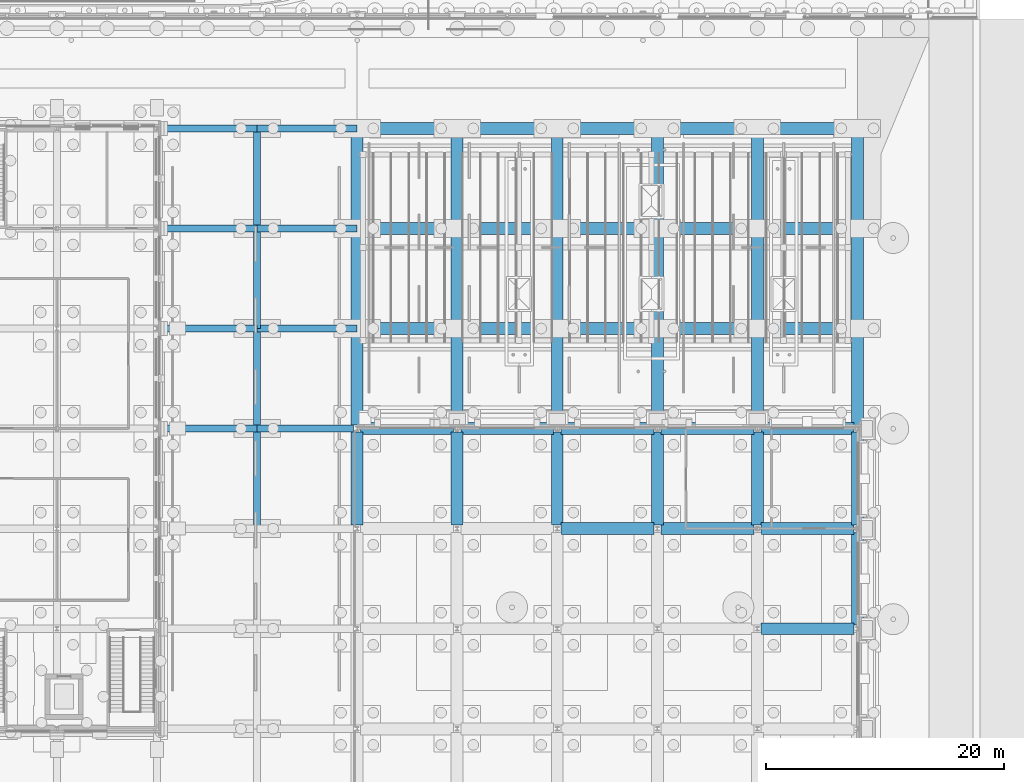
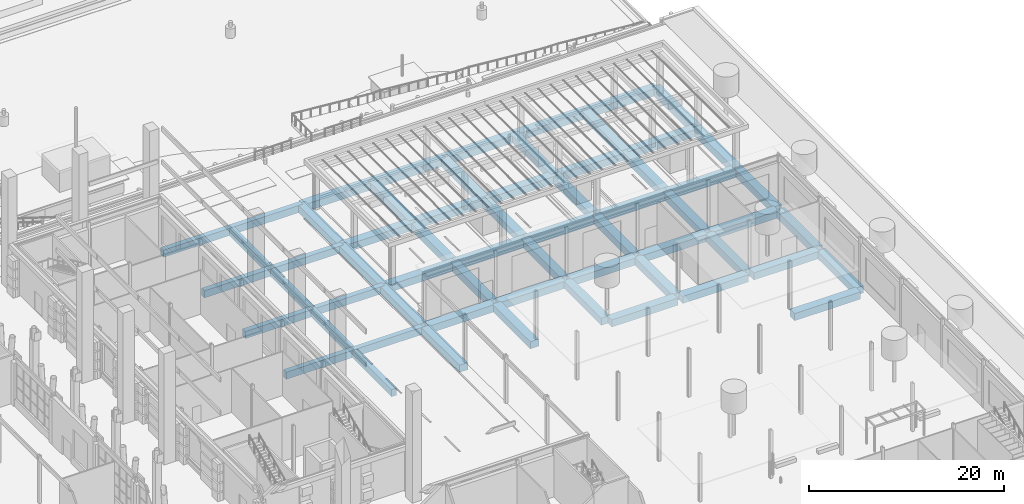
# One storey, part 61 of 222: 61 beams.
"""IFC4 building model written with IfcOpenShell, lengths in metres."""

import ifcopenshell
import ifcopenshell.guid

model = None  # the IFC model being written
_history = None  # IfcOwnerHistory: only IFC2X3 demands one
_inside = {}  # id of a spatial element -> (the spatial element, [elements in it])
_under = {}  # id of a project, library or spatial element -> (it, [spatial elements below it])
_declared = {}  # id of a project -> (the project, [libraries it declares])
_typed = {}  # id of a type object -> (the type object, [elements of that type])
_made_of = {}  # id of a material, layer set ... -> (it, [elements and type objects made of it])


def new_model(schema):
    """Start an empty IFC model of exactly this schema.

    Asked for "IFC4X3", IfcOpenShell would pick the latest addendum, in which some entities
    have other attributes; the version numbers below select the first issue.
    IFC2X3 requires an IfcOwnerHistory on every rooted entity: one is made here for all.
    """
    global model, _history
    if schema == "IFC4X3":
        model = ifcopenshell.file(schema_version=(4, 3, 0, 0))
    else:
        model = ifcopenshell.file(schema=schema)
    _inside.clear()
    _under.clear()
    _declared.clear()
    _typed.clear()
    _made_of.clear()
    _history = None
    if model.schema == "IFC2X3":
        org = make("IfcOrganization", Name="unknown")
        user = make(
            "IfcPersonAndOrganization",
            ThePerson=make("IfcPerson", FamilyName="unknown"),
            TheOrganization=org,
        )
        app = make(
            "IfcApplication",
            ApplicationDeveloper=org,
            Version="unknown",
            ApplicationFullName="unknown",
            ApplicationIdentifier="unknown",
        )
        _history = make(
            "IfcOwnerHistory",
            OwningUser=user,
            OwningApplication=app,
            ChangeAction="ADDED",
            CreationDate=0,
        )
    return model


def make(cls, **values):
    """One entity of the class cls with the attributes given. An attribute that is None is left unset."""
    return model.create_entity(
        cls, **{name: value for name, value in values.items() if value is not None}
    )


def rooted(cls, **values):
    """An entity with a GlobalId (a new one), such as an element, a storey or a relation."""
    return make(cls, GlobalId=ifcopenshell.guid.new(), OwnerHistory=_history, **values)


def si_unit(unit_type, name, prefix=None):
    """IfcSIUnit, for example si_unit("LENGTHUNIT", "METRE", prefix="MILLI")."""
    return make("IfcSIUnit", UnitType=unit_type, Prefix=prefix, Name=name)


def assignment(units):
    """IfcUnitAssignment: the units of a project."""
    return None if units is None else make("IfcUnitAssignment", Units=units)


def point(xyz):
    """IfcCartesianPoint."""
    return None if xyz is None else make("IfcCartesianPoint", Coordinates=xyz)


def direction(xyz):
    """IfcDirection."""
    return None if xyz is None else make("IfcDirection", DirectionRatios=xyz)


def frame(location, z_axis=None, x_axis=None):
    """IfcAxis2Placement3D, a coordinate frame: its origin and axes. An axis left out is left unset."""
    return make(
        "IfcAxis2Placement3D",
        Location=point(location),
        Axis=direction(z_axis),
        RefDirection=direction(x_axis),
    )


def frame_2d(location, x_axis=None):
    """IfcAxis2Placement2D, a coordinate frame in the plane: its origin and x axis."""
    return make(
        "IfcAxis2Placement2D", Location=point(location), RefDirection=direction(x_axis)
    )


def origin():
    """The frame at (0, 0, 0) with its axes left unset."""
    return frame((0.0, 0.0, 0.0))


def origin_2d():
    """The frame at (0, 0) in the plane with its x axis left unset."""
    return frame_2d((0.0, 0.0))


def place(relative_to, where):
    """IfcLocalPlacement: puts the frame where relative to a parent placement (None: the world)."""
    return make(
        "IfcLocalPlacement", PlacementRelTo=relative_to, RelativePlacement=where
    )


def context(
    kind, dimensions, precision=None, world=None, true_north=None, identifier=None
):
    """IfcGeometricRepresentationContext, for example the 3D "Model" context."""
    return make(
        "IfcGeometricRepresentationContext",
        ContextIdentifier=identifier,
        ContextType=kind,
        CoordinateSpaceDimension=dimensions,
        Precision=precision,
        WorldCoordinateSystem=world,
        TrueNorth=true_north,
    )


def subcontext(parent, identifier, kind, view, scale=None):
    """IfcGeometricRepresentationSubContext, for example "Body" below "Model"."""
    return make(
        "IfcGeometricRepresentationSubContext",
        ContextIdentifier=identifier,
        ContextType=kind,
        ParentContext=parent,
        TargetScale=scale,
        TargetView=view,
    )


def project(units=None, contexts=None):
    """IfcProject with its units and contexts."""
    return rooted(
        "IfcProject",
        Name="project",
        RepresentationContexts=contexts,
        UnitsInContext=assignment(units),
    )


def spatial(cls, under=None, at=None, **own):
    """A site, building, storey or space (cls), placed at a placement, below another one or the project."""
    s = rooted(cls, ObjectPlacement=at, **own)
    if under is not None:
        _under.setdefault(under.id(), (under, []))[1].append(s)
    return s


def profile(cls, at=None, kind="AREA", **sizes):
    """A parametric profile (cls). Its sizes go by their IFC names, for example OverallWidth=200.0."""
    return make(cls, ProfileType=kind, Position=at, **sizes)


def rectangle(**sizes):
    """IfcRectangleProfileDef."""
    return profile("IfcRectangleProfileDef", **sizes)


def extrude(swept, where, along, depth):
    """IfcExtrudedAreaSolid: the profile swept, set in the frame where, extruded along a direction by depth."""
    return make(
        "IfcExtrudedAreaSolid",
        SweptArea=swept,
        Position=where,
        ExtrudedDirection=direction(along),
        Depth=depth,
    )


def shape(context_of_items, identifier, shape_type, items):
    """IfcShapeRepresentation: the items that make up one representation, for example the "Body"."""
    return make(
        "IfcShapeRepresentation",
        ContextOfItems=context_of_items,
        RepresentationIdentifier=identifier,
        RepresentationType=shape_type,
        Items=items,
    )


def material(Name=None, Category=None):
    """IfcMaterial."""
    return make("IfcMaterial", Name=Name, Category=Category)


def material_profile(
    of_material, cross_section, Name=None, Category=None, Priority=None
):
    """IfcMaterialProfile: a cross section and its material."""
    return make(
        "IfcMaterialProfile",
        Name=Name,
        Material=of_material,
        Profile=cross_section,
        Priority=Priority,
        Category=Category,
    )


def profile_set(profiles, Name=None, composite=None):
    """IfcMaterialProfileSet."""
    return make(
        "IfcMaterialProfileSet",
        Name=Name,
        MaterialProfiles=profiles,
        CompositeProfile=composite,
    )


def made_of(thing, what):
    """Note that an element or type object is made of a material, layer set ...; save() writes the relation."""
    if what is not None:
        _made_of.setdefault(what.id(), (what, []))[1].append(thing)
    return thing


def type_object(cls, material=None, **own):
    """A type object (cls), such as IfcWallType, which elements share."""
    return made_of(rooted(cls, **own), material)


def element(
    cls,
    number,
    at=None,
    inside=None,
    cuts=None,
    type_object=None,
    material=None,
    context=None,
    identifier="Body",
    shape_type=None,
    held_by="IfcProductDefinitionShape",
    body=None,
    shapes=None,
    **own,
):
    """One element of the class cls, such as IfcWall. Its Tag is "e" and its number.

    at: its placement. inside: the storey or other place that contains it. cuts: it is an
    opening in that element (IfcRelVoidsElement). A single representation is given by context,
    identifier, shape_type and body (its items); several are given by shapes. held_by: the class
    of the entity that holds the representations. save() writes the other relations.
    """
    e = rooted(cls, Tag="e%d" % number, ObjectPlacement=at, **own)
    if body is not None:
        shapes = [shape(context, identifier, shape_type, body)]
    if shapes is not None:
        e.Representation = make(held_by, Representations=shapes)
    if inside is not None:
        _inside.setdefault(inside.id(), (inside, []))[1].append(e)
    if cuts is not None:
        rooted(
            "IfcRelVoidsElement", RelatingBuildingElement=cuts, RelatedOpeningElement=e
        )
    if type_object is not None:
        _typed.setdefault(type_object.id(), (type_object, []))[1].append(e)
    return made_of(e, material)


def aggregate(whole, parts):
    """IfcRelAggregates: a whole, such as a stair, and the parts it consists of."""
    return rooted("IfcRelAggregates", RelatingObject=whole, RelatedObjects=parts)


def save(model, path):
    """Write the relations noted so far, then the file.

    IfcRelAggregates (storeys below a building ...), IfcRelContainedInSpatialStructure (elements
    in a storey), IfcRelDefinesByType, IfcRelAssociatesMaterial and IfcRelDeclares: one each for
    every whole, place, type object, material and project.
    """
    for whole, parts in _under.values():
        aggregate(whole, parts)
    for where, things in _inside.values():
        rooted(
            "IfcRelContainedInSpatialStructure",
            RelatedElements=things,
            RelatingStructure=where,
        )
    for kind, things in _typed.values():
        rooted("IfcRelDefinesByType", RelatedObjects=things, RelatingType=kind)
    for what, things in _made_of.values():
        rooted("IfcRelAssociatesMaterial", RelatedObjects=things, RelatingMaterial=what)
    for by, libraries in _declared.values():
        rooted("IfcRelDeclares", RelatingContext=by, RelatedDefinitions=libraries)
    model.write(path)


model = new_model("IFC4")

# Units and contexts
model_context = context("Model", 3, precision=1e-05, world=origin(), true_north=direction((0.0, 1.0)))
body_context = subcontext(model_context, "Body", "Model", "MODEL_VIEW")
ifc_project = project(units=[si_unit("LENGTHUNIT", "METRE"), si_unit("AREAUNIT", "SQUARE_METRE"), si_unit("VOLUMEUNIT", "CUBIC_METRE"), si_unit("PLANEANGLEUNIT", "RADIAN"), si_unit("MASSUNIT", "GRAM", prefix="KILO")], contexts=[model_context])

# Site, building, storey
site_placement = place(None, origin())
site = spatial("IfcSite", under=ifc_project, at=site_placement, CompositionType="ELEMENT")
building_placement = place(site_placement, origin())
building = spatial("IfcBuilding", under=site, at=building_placement, Name="Sava Quay Ferry Terminal", CompositionType="ELEMENT")
storey_placement = place(building_placement, origin())
storey = spatial("IfcBuildingStorey", under=building, at=storey_placement, Name="L00", CompositionType="ELEMENT", Elevation=0.0)

# Beams
ifc_material_1 = material(Name="Concrete C40/50", Category="concrete")
ifc_material_profile_1 = material_profile(ifc_material_1, rectangle(XDim=1.0, YDim=0.89990234375, at=origin_2d()), Name="RC 1000x900")
ifc_profile_set_1 = profile_set([ifc_material_profile_1], Name="Concrete C40/50")
beam_type_1 = type_object("IfcBeamType", Name="RC deck beam 1000x900", PredefinedType="BEAM", material=ifc_profile_set_1)
beam_1_placement = place(storey_placement, frame((159.89990234375, 67.199951171875, -0.89990234375), z_axis=(1.0, 0.0, 0.0), x_axis=(0.0, 1.0, 0.0)))
element("IfcBeam", 1, at=beam_1_placement, inside=storey, type_object=beam_type_1, Name="Deck beam X67.2-159.6", PredefinedType="BEAM", context=body_context, shape_type="SweptSolid", body=[
    extrude(rectangle(XDim=1.0, YDim=0.89990234375, at=origin_2d()), origin(), (0.0, 0.0, 1.0), 7.800048828125),
])
beam_2_placement = place(storey_placement, frame((143.10009765625, 75.60009765625, -0.89990234375), z_axis=(1.0, 0.0, 0.0), x_axis=(0.0, 1.0, 0.0)))
element("IfcBeam", 2, at=beam_2_placement, inside=storey, type_object=beam_type_1, Name="Deck beam X75.6-142.8", PredefinedType="BEAM", context=body_context, shape_type="SweptSolid", body=[
    extrude(rectangle(XDim=1.0, YDim=0.89990234375, at=origin_2d()), origin(), (0.0, 0.0, 1.0), 7.7998046875),
])
for number, where, z_axis, x_axis, name in (
    (3, (151.5, 75.60009765625, -0.89990234375), (1.0, 0.0, 0.0), (0.0, 1.0, 0.0), "Deck beam X75.6-151.2"),
    (4, (159.89990234375, 75.60009765625, -0.89990234375), (1.0, 0.0, 0.0), (0.0, 1.0, 0.0), "Deck beam X75.6-159.6"),
    (5, (126.300048828125, 84.0, -0.89990234375), (1.0, 0.0, 0.0), (0.0, 1.0, 0.0), "Deck beam X84-126"),
    (6, (134.699951171875, 84.0, -0.89990234375), (1.0, 0.0, 0.0), (0.0, 1.0, 0.0), "Deck beam X84-134.4"),
):
    element("IfcBeam", number, at=place(storey_placement, frame(where, z_axis=z_axis, x_axis=x_axis)), inside=storey, type_object=beam_type_1, Name=name, PredefinedType="BEAM", context=body_context, shape_type="SweptSolid", body=[
        extrude(rectangle(XDim=1.0, YDim=0.89990234375, at=origin_2d()), origin(), (0.0, 0.0, 1.0), 7.800048828125),
    ])
beam_3_placement = place(storey_placement, frame((143.10009765625, 84.0, -0.89990234375), z_axis=(1.0, 0.0, 0.0), x_axis=(0.0, 1.0, 0.0)))
element("IfcBeam", 7, at=beam_3_placement, inside=storey, type_object=beam_type_1, Name="Deck beam X84-142.8", PredefinedType="BEAM", context=body_context, shape_type="SweptSolid", body=[
    extrude(rectangle(XDim=1.0, YDim=0.89990234375, at=origin_2d()), origin(), (0.0, 0.0, 1.0), 7.7998046875),
])
for number, where, z_axis, x_axis, name in (
    (8, (151.5, 84.0, -0.89990234375), (1.0, 0.0, 0.0), (0.0, 1.0, 0.0), "Deck beam X84-151.2"),
    (9, (159.89990234375, 84.0, -0.89990234375), (1.0, 0.0, 0.0), (0.0, 1.0, 0.0), "Deck beam X84-159.6"),
):
    element("IfcBeam", number, at=place(storey_placement, frame(where, z_axis=z_axis, x_axis=x_axis)), inside=storey, type_object=beam_type_1, Name=name, PredefinedType="BEAM", context=body_context, shape_type="SweptSolid", body=[
        extrude(rectangle(XDim=1.0, YDim=0.89990234375, at=origin_2d()), origin(), (0.0, 0.0, 1.0), 7.800048828125),
    ])
beam_4_placement = place(storey_placement, frame((126.0, 92.39990234375, -0.89990234375), z_axis=(1.0, 0.0, 0.0), x_axis=(0.0, 1.0, 0.0)))
element("IfcBeam", 10, at=beam_4_placement, inside=storey, type_object=beam_type_1, Name="Deck beam X92.4-126", PredefinedType="BEAM", context=body_context, shape_type="SweptSolid", body=[
    extrude(rectangle(XDim=1.0, YDim=0.89990234375, at=origin_2d()), origin(), (0.0, 0.0, 1.0), 8.39990234375),
])
beam_5_placement = place(storey_placement, frame((134.39990234375, 92.39990234375, -0.89990234375), z_axis=(1.0, 0.0, 0.0), x_axis=(0.0, 1.0, 0.0)))
element("IfcBeam", 11, at=beam_5_placement, inside=storey, type_object=beam_type_1, Name="Deck beam X92.4-134.4", PredefinedType="BEAM", context=body_context, shape_type="SweptSolid", body=[
    extrude(rectangle(XDim=1.0, YDim=0.89990234375, at=origin_2d()), origin(), (0.0, 0.0, 1.0), 8.400146484375),
])
beam_6_placement = place(storey_placement, frame((142.800048828125, 92.39990234375, -0.89990234375), z_axis=(1.0, 0.0, 0.0), x_axis=(0.0, 1.0, 0.0)))
element("IfcBeam", 12, at=beam_6_placement, inside=storey, type_object=beam_type_1, Name="Deck beam X92.4-142.8", PredefinedType="BEAM", context=body_context, shape_type="SweptSolid", body=[
    extrude(rectangle(XDim=1.0, YDim=0.89990234375, at=origin_2d()), origin(), (0.0, 0.0, 1.0), 8.39990234375),
])
beam_7_placement = place(storey_placement, frame((151.199951171875, 92.39990234375, -0.89990234375), z_axis=(1.0, 0.0, 0.0), x_axis=(0.0, 1.0, 0.0)))
element("IfcBeam", 13, at=beam_7_placement, inside=storey, type_object=beam_type_1, Name="Deck beam X92.4-151.2", PredefinedType="BEAM", context=body_context, shape_type="SweptSolid", body=[
    extrude(rectangle(XDim=1.0, YDim=0.89990234375, at=origin_2d()), origin(), (0.0, 0.0, 1.0), 8.400146484375),
])
for number, where, z_axis, x_axis, name in (
    (14, (159.60009765625, 92.39990234375, -0.89990234375), (1.0, 0.0, 0.0), (0.0, 1.0, 0.0), "Deck beam X92.4-159.6"),
    (15, (126.0, 100.800048828125, -0.89990234375), (1.0, 0.0, 0.0), (0.0, 1.0, 0.0), "Deck beam X100.8-126"),
):
    element("IfcBeam", number, at=place(storey_placement, frame(where, z_axis=z_axis, x_axis=x_axis)), inside=storey, type_object=beam_type_1, Name=name, PredefinedType="BEAM", context=body_context, shape_type="SweptSolid", body=[
        extrude(rectangle(XDim=1.0, YDim=0.89990234375, at=origin_2d()), origin(), (0.0, 0.0, 1.0), 8.39990234375),
    ])
beam_8_placement = place(storey_placement, frame((134.39990234375, 100.800048828125, -0.89990234375), z_axis=(1.0, 0.0, 0.0), x_axis=(0.0, 1.0, 0.0)))
element("IfcBeam", 16, at=beam_8_placement, inside=storey, type_object=beam_type_1, Name="Deck beam X100.8-134.4", PredefinedType="BEAM", context=body_context, shape_type="SweptSolid", body=[
    extrude(rectangle(XDim=1.0, YDim=0.89990234375, at=origin_2d()), origin(), (0.0, 0.0, 1.0), 8.400146484375),
])
beam_9_placement = place(storey_placement, frame((142.800048828125, 100.800048828125, -0.89990234375), z_axis=(1.0, 0.0, 0.0), x_axis=(0.0, 1.0, 0.0)))
element("IfcBeam", 17, at=beam_9_placement, inside=storey, type_object=beam_type_1, Name="Deck beam X100.8-142.8", PredefinedType="BEAM", context=body_context, shape_type="SweptSolid", body=[
    extrude(rectangle(XDim=1.0, YDim=0.89990234375, at=origin_2d()), origin(), (0.0, 0.0, 1.0), 8.39990234375),
])
beam_10_placement = place(storey_placement, frame((151.199951171875, 100.800048828125, -0.89990234375), z_axis=(1.0, 0.0, 0.0), x_axis=(0.0, 1.0, 0.0)))
element("IfcBeam", 18, at=beam_10_placement, inside=storey, type_object=beam_type_1, Name="Deck beam X100.8-151.2", PredefinedType="BEAM", context=body_context, shape_type="SweptSolid", body=[
    extrude(rectangle(XDim=1.0, YDim=0.89990234375, at=origin_2d()), origin(), (0.0, 0.0, 1.0), 8.400146484375),
])
for number, where, z_axis, x_axis, name in (
    (19, (159.60009765625, 100.800048828125, -0.89990234375), (1.0, 0.0, 0.0), (0.0, 1.0, 0.0), "Deck beam X100.8-159.6"),
    (20, (126.0, 109.199951171875, -0.89990234375), (1.0, 0.0, 0.0), (0.0, 1.0, 0.0), "Deck beam X109.2-126"),
):
    element("IfcBeam", number, at=place(storey_placement, frame(where, z_axis=z_axis, x_axis=x_axis)), inside=storey, type_object=beam_type_1, Name=name, PredefinedType="BEAM", context=body_context, shape_type="SweptSolid", body=[
        extrude(rectangle(XDim=1.0, YDim=0.89990234375, at=origin_2d()), origin(), (0.0, 0.0, 1.0), 8.39990234375),
    ])
beam_11_placement = place(storey_placement, frame((134.39990234375, 109.199951171875, -0.89990234375), z_axis=(1.0, 0.0, 0.0), x_axis=(0.0, 1.0, 0.0)))
element("IfcBeam", 21, at=beam_11_placement, inside=storey, type_object=beam_type_1, Name="Deck beam X109.2-134.4", PredefinedType="BEAM", context=body_context, shape_type="SweptSolid", body=[
    extrude(rectangle(XDim=1.0, YDim=0.89990234375, at=origin_2d()), origin(), (0.0, 0.0, 1.0), 8.400146484375),
])
beam_12_placement = place(storey_placement, frame((142.800048828125, 109.199951171875, -0.89990234375), z_axis=(1.0, 0.0, 0.0), x_axis=(0.0, 1.0, 0.0)))
element("IfcBeam", 22, at=beam_12_placement, inside=storey, type_object=beam_type_1, Name="Deck beam X109.2-142.8", PredefinedType="BEAM", context=body_context, shape_type="SweptSolid", body=[
    extrude(rectangle(XDim=1.0, YDim=0.89990234375, at=origin_2d()), origin(), (0.0, 0.0, 1.0), 8.39990234375),
])
beam_13_placement = place(storey_placement, frame((151.199951171875, 109.199951171875, -0.89990234375), z_axis=(1.0, 0.0, 0.0), x_axis=(0.0, 1.0, 0.0)))
element("IfcBeam", 23, at=beam_13_placement, inside=storey, type_object=beam_type_1, Name="Deck beam X109.2-151.2", PredefinedType="BEAM", context=body_context, shape_type="SweptSolid", body=[
    extrude(rectangle(XDim=1.0, YDim=0.89990234375, at=origin_2d()), origin(), (0.0, 0.0, 1.0), 8.400146484375),
])
beam_14_placement = place(storey_placement, frame((159.60009765625, 109.199951171875, -0.89990234375), z_axis=(1.0, 0.0, 0.0), x_axis=(0.0, 1.0, 0.0)))
element("IfcBeam", 24, at=beam_14_placement, inside=storey, type_object=beam_type_1, Name="Deck beam X109.2-159.6", PredefinedType="BEAM", context=body_context, shape_type="SweptSolid", body=[
    extrude(rectangle(XDim=1.0, YDim=0.89990234375, at=origin_2d()), origin(), (0.0, 0.0, 1.0), 8.39990234375),
])
beam_15_placement = place(storey_placement, frame((126.0, 75.89990234375, -0.89990234375), z_axis=(0.0, 1.0, 0.0), x_axis=(-1.0, 0.0, 0.0)))
element("IfcBeam", 25, at=beam_15_placement, inside=storey, type_object=beam_type_1, Name="Deck beam Y126-75.6", PredefinedType="BEAM", context=body_context, shape_type="SweptSolid", body=[
    extrude(rectangle(XDim=1.0, YDim=0.89990234375, at=origin_2d()), origin(), (0.0, 0.0, 1.0), 7.800048828125),
])
beam_16_placement = place(storey_placement, frame((126.0, 84.300048828125, -0.89990234375), z_axis=(0.0, 1.0, 0.0), x_axis=(-1.0, 0.0, 0.0)))
element("IfcBeam", 26, at=beam_16_placement, inside=storey, type_object=beam_type_1, Name="Deck beam Y126-84", PredefinedType="BEAM", context=body_context, shape_type="SweptSolid", body=[
    extrude(rectangle(XDim=1.0, YDim=0.89990234375, at=origin_2d()), origin(), (0.0, 0.0, 1.0), 8.099853515625),
])
beam_17_placement = place(storey_placement, frame((126.0, 92.39990234375, -0.89990234375), z_axis=(0.0, 1.0, 0.0), x_axis=(-1.0, 0.0, 0.0)))
element("IfcBeam", 27, at=beam_17_placement, inside=storey, type_object=beam_type_1, Name="Deck beam Y126-92.4", PredefinedType="BEAM", context=body_context, shape_type="SweptSolid", body=[
    extrude(rectangle(XDim=1.0, YDim=0.89990234375, at=origin_2d()), origin(), (0.0, 0.0, 1.0), 8.400146484375),
])
beam_18_placement = place(storey_placement, frame((126.0, 100.800048828125, -0.89990234375), z_axis=(0.0, 1.0, 0.0), x_axis=(-1.0, 0.0, 0.0)))
element("IfcBeam", 28, at=beam_18_placement, inside=storey, type_object=beam_type_1, Name="Deck beam Y126-100.8", PredefinedType="BEAM", context=body_context, shape_type="SweptSolid", body=[
    extrude(rectangle(XDim=1.0, YDim=0.89990234375, at=origin_2d()), origin(), (0.0, 0.0, 1.0), 8.39990234375),
])
beam_19_placement = place(storey_placement, frame((134.39990234375, 75.89990234375, -0.89990234375), z_axis=(0.0, 1.0, 0.0), x_axis=(-1.0, 0.0, 0.0)))
element("IfcBeam", 29, at=beam_19_placement, inside=storey, type_object=beam_type_1, Name="Deck beam Y134.4-75.6", PredefinedType="BEAM", context=body_context, shape_type="SweptSolid", body=[
    extrude(rectangle(XDim=1.0, YDim=0.89990234375, at=origin_2d()), origin(), (0.0, 0.0, 1.0), 7.800048828125),
])
beam_20_placement = place(storey_placement, frame((134.39990234375, 84.300048828125, -0.89990234375), z_axis=(0.0, 1.0, 0.0), x_axis=(-1.0, 0.0, 0.0)))
element("IfcBeam", 30, at=beam_20_placement, inside=storey, type_object=beam_type_1, Name="Deck beam Y134.4-84", PredefinedType="BEAM", context=body_context, shape_type="SweptSolid", body=[
    extrude(rectangle(XDim=1.0, YDim=0.89990234375, at=origin_2d()), origin(), (0.0, 0.0, 1.0), 8.099853515625),
])
beam_21_placement = place(storey_placement, frame((134.39990234375, 92.39990234375, -0.89990234375), z_axis=(0.0, 1.0, 0.0), x_axis=(-1.0, 0.0, 0.0)))
element("IfcBeam", 31, at=beam_21_placement, inside=storey, type_object=beam_type_1, Name="Deck beam Y134.4-92.4", PredefinedType="BEAM", context=body_context, shape_type="SweptSolid", body=[
    extrude(rectangle(XDim=1.0, YDim=0.89990234375, at=origin_2d()), origin(), (0.0, 0.0, 1.0), 8.400146484375),
])
beam_22_placement = place(storey_placement, frame((134.39990234375, 100.800048828125, -0.89990234375), z_axis=(0.0, 1.0, 0.0), x_axis=(-1.0, 0.0, 0.0)))
element("IfcBeam", 32, at=beam_22_placement, inside=storey, type_object=beam_type_1, Name="Deck beam Y134.4-100.8", PredefinedType="BEAM", context=body_context, shape_type="SweptSolid", body=[
    extrude(rectangle(XDim=1.0, YDim=0.89990234375, at=origin_2d()), origin(), (0.0, 0.0, 1.0), 8.39990234375),
])
beam_23_placement = place(storey_placement, frame((142.800048828125, 75.89990234375, -0.89990234375), z_axis=(0.0, 1.0, 0.0), x_axis=(-1.0, 0.0, 0.0)))
element("IfcBeam", 33, at=beam_23_placement, inside=storey, type_object=beam_type_1, Name="Deck beam Y142.8-75.6", PredefinedType="BEAM", context=body_context, shape_type="SweptSolid", body=[
    extrude(rectangle(XDim=1.0, YDim=0.89990234375, at=origin_2d()), origin(), (0.0, 0.0, 1.0), 7.800048828125),
])
beam_24_placement = place(storey_placement, frame((142.800048828125, 84.300048828125, -0.89990234375), z_axis=(0.0, 1.0, 0.0), x_axis=(-1.0, 0.0, 0.0)))
element("IfcBeam", 34, at=beam_24_placement, inside=storey, type_object=beam_type_1, Name="Deck beam Y142.8-84", PredefinedType="BEAM", context=body_context, shape_type="SweptSolid", body=[
    extrude(rectangle(XDim=1.0, YDim=0.89990234375, at=origin_2d()), origin(), (0.0, 0.0, 1.0), 8.099853515625),
])
beam_25_placement = place(storey_placement, frame((142.800048828125, 92.39990234375, -0.89990234375), z_axis=(0.0, 1.0, 0.0), x_axis=(-1.0, 0.0, 0.0)))
element("IfcBeam", 35, at=beam_25_placement, inside=storey, type_object=beam_type_1, Name="Deck beam Y142.8-92.4", PredefinedType="BEAM", context=body_context, shape_type="SweptSolid", body=[
    extrude(rectangle(XDim=1.0, YDim=0.89990234375, at=origin_2d()), origin(), (0.0, 0.0, 1.0), 8.400146484375),
])
beam_26_placement = place(storey_placement, frame((142.800048828125, 100.800048828125, -0.89990234375), z_axis=(0.0, 1.0, 0.0), x_axis=(-1.0, 0.0, 0.0)))
element("IfcBeam", 36, at=beam_26_placement, inside=storey, type_object=beam_type_1, Name="Deck beam Y142.8-100.8", PredefinedType="BEAM", context=body_context, shape_type="SweptSolid", body=[
    extrude(rectangle(XDim=1.0, YDim=0.89990234375, at=origin_2d()), origin(), (0.0, 0.0, 1.0), 8.39990234375),
])
beam_27_placement = place(storey_placement, frame((151.199951171875, 75.89990234375, -0.89990234375), z_axis=(0.0, 1.0, 0.0), x_axis=(-1.0, 0.0, 0.0)))
element("IfcBeam", 37, at=beam_27_placement, inside=storey, type_object=beam_type_1, Name="Deck beam Y151.2-75.6", PredefinedType="BEAM", context=body_context, shape_type="SweptSolid", body=[
    extrude(rectangle(XDim=1.0, YDim=0.89990234375, at=origin_2d()), origin(), (0.0, 0.0, 1.0), 7.800048828125),
])
beam_28_placement = place(storey_placement, frame((151.199951171875, 84.300048828125, -0.89990234375), z_axis=(0.0, 1.0, 0.0), x_axis=(-1.0, 0.0, 0.0)))
element("IfcBeam", 38, at=beam_28_placement, inside=storey, type_object=beam_type_1, Name="Deck beam Y151.2-84", PredefinedType="BEAM", context=body_context, shape_type="SweptSolid", body=[
    extrude(rectangle(XDim=1.0, YDim=0.89990234375, at=origin_2d()), origin(), (0.0, 0.0, 1.0), 8.099853515625),
])
beam_29_placement = place(storey_placement, frame((151.199951171875, 92.39990234375, -0.89990234375), z_axis=(0.0, 1.0, 0.0), x_axis=(-1.0, 0.0, 0.0)))
element("IfcBeam", 39, at=beam_29_placement, inside=storey, type_object=beam_type_1, Name="Deck beam Y151.2-92.4", PredefinedType="BEAM", context=body_context, shape_type="SweptSolid", body=[
    extrude(rectangle(XDim=1.0, YDim=0.89990234375, at=origin_2d()), origin(), (0.0, 0.0, 1.0), 8.400146484375),
])
beam_30_placement = place(storey_placement, frame((151.199951171875, 100.800048828125, -0.89990234375), z_axis=(0.0, 1.0, 0.0), x_axis=(-1.0, 0.0, 0.0)))
element("IfcBeam", 40, at=beam_30_placement, inside=storey, type_object=beam_type_1, Name="Deck beam Y151.2-100.8", PredefinedType="BEAM", context=body_context, shape_type="SweptSolid", body=[
    extrude(rectangle(XDim=1.0, YDim=0.89990234375, at=origin_2d()), origin(), (0.0, 0.0, 1.0), 8.39990234375),
])
beam_31_placement = place(storey_placement, frame((159.60009765625, 75.89990234375, -0.89990234375), z_axis=(0.0, 1.0, 0.0), x_axis=(-1.0, 0.0, 0.0)))
element("IfcBeam", 41, at=beam_31_placement, inside=storey, type_object=beam_type_1, Name="Deck beam Y159.6-75.6", PredefinedType="BEAM", context=body_context, shape_type="SweptSolid", body=[
    extrude(rectangle(XDim=1.0, YDim=0.89990234375, at=origin_2d()), origin(), (0.0, 0.0, 1.0), 7.800048828125),
])
beam_32_placement = place(storey_placement, frame((159.60009765625, 84.300048828125, -0.89990234375), z_axis=(0.0, 1.0, 0.0), x_axis=(-1.0, 0.0, 0.0)))
element("IfcBeam", 42, at=beam_32_placement, inside=storey, type_object=beam_type_1, Name="Deck beam Y159.6-84", PredefinedType="BEAM", context=body_context, shape_type="SweptSolid", body=[
    extrude(rectangle(XDim=1.0, YDim=0.89990234375, at=origin_2d()), origin(), (0.0, 0.0, 1.0), 8.099853515625),
])
beam_33_placement = place(storey_placement, frame((159.60009765625, 92.39990234375, -0.89990234375), z_axis=(0.0, 1.0, 0.0), x_axis=(-1.0, 0.0, 0.0)))
element("IfcBeam", 43, at=beam_33_placement, inside=storey, type_object=beam_type_1, Name="Deck beam Y159.6-92.4", PredefinedType="BEAM", context=body_context, shape_type="SweptSolid", body=[
    extrude(rectangle(XDim=1.0, YDim=0.89990234375, at=origin_2d()), origin(), (0.0, 0.0, 1.0), 8.400146484375),
])
beam_34_placement = place(storey_placement, frame((159.60009765625, 100.800048828125, -0.89990234375), z_axis=(0.0, 1.0, 0.0), x_axis=(-1.0, 0.0, 0.0)))
element("IfcBeam", 44, at=beam_34_placement, inside=storey, type_object=beam_type_1, Name="Deck beam Y159.6-100.8", PredefinedType="BEAM", context=body_context, shape_type="SweptSolid", body=[
    extrude(rectangle(XDim=1.0, YDim=0.89990234375, at=origin_2d()), origin(), (0.0, 0.0, 1.0), 8.39990234375),
])
for number, where, z_axis, x_axis, name in (
    (45, (168.0, 67.5, -0.89990234375), (0.0, 1.0, 0.0), (-1.0, 0.0, 0.0), "Deck beam Y168-67.2"),
    (46, (168.0, 75.89990234375, -0.89990234375), (0.0, 1.0, 0.0), (-1.0, 0.0, 0.0), "Deck beam Y168-75.6"),
):
    element("IfcBeam", number, at=place(storey_placement, frame(where, z_axis=z_axis, x_axis=x_axis)), inside=storey, type_object=beam_type_1, Name=name, PredefinedType="BEAM", context=body_context, shape_type="SweptSolid", body=[
        extrude(rectangle(XDim=1.0, YDim=0.89990234375, at=origin_2d()), origin(), (0.0, 0.0, 1.0), 7.800048828125),
    ])
beam_35_placement = place(storey_placement, frame((168.0, 84.300048828125, -0.89990234375), z_axis=(0.0, 1.0, 0.0), x_axis=(-1.0, 0.0, 0.0)))
element("IfcBeam", 47, at=beam_35_placement, inside=storey, type_object=beam_type_1, Name="Deck beam Y168-84", PredefinedType="BEAM", context=body_context, shape_type="SweptSolid", body=[
    extrude(rectangle(XDim=1.0, YDim=0.89990234375, at=origin_2d()), origin(), (0.0, 0.0, 1.0), 8.099853515625),
])
beam_36_placement = place(storey_placement, frame((168.0, 92.39990234375, -0.89990234375), z_axis=(0.0, 1.0, 0.0), x_axis=(-1.0, 0.0, 0.0)))
element("IfcBeam", 48, at=beam_36_placement, inside=storey, type_object=beam_type_1, Name="Deck beam Y168-92.4", PredefinedType="BEAM", context=body_context, shape_type="SweptSolid", body=[
    extrude(rectangle(XDim=1.0, YDim=0.89990234375, at=origin_2d()), origin(), (0.0, 0.0, 1.0), 8.400146484375),
])
beam_37_placement = place(storey_placement, frame((168.0, 100.800048828125, -0.89990234375), z_axis=(0.0, 1.0, 0.0), x_axis=(-1.0, 0.0, 0.0)))
element("IfcBeam", 49, at=beam_37_placement, inside=storey, type_object=beam_type_1, Name="Deck beam Y168-100.8", PredefinedType="BEAM", context=body_context, shape_type="SweptSolid", body=[
    extrude(rectangle(XDim=1.0, YDim=0.89990234375, at=origin_2d()), origin(), (0.0, 0.0, 1.0), 8.39990234375),
])
ifc_material_2 = material(Name="Concrete C40/50", Category="concrete")
ifc_material_profile_2 = material_profile(ifc_material_2, rectangle(XDim=0.60009765625, YDim=0.89990234375, at=origin_2d()), Name="RC 600x900")
ifc_profile_set_2 = profile_set([ifc_material_profile_2], Name="Concrete C40/50")
beam_type_2 = type_object("IfcBeamType", Name="RC deck beam 600x900", PredefinedType="BEAM", material=ifc_profile_set_2)
beam_38_placement = place(storey_placement, frame((109.5, 84.0, -0.89990234375), z_axis=(1.0, 0.0, 0.0), x_axis=(0.0, 1.0, 0.0)))
element("IfcBeam", 50, at=beam_38_placement, inside=storey, type_object=beam_type_2, Name="Deck beam X84-109.2", PredefinedType="BEAM", context=body_context, shape_type="SweptSolid", body=[
    extrude(rectangle(XDim=0.60009765625, YDim=0.89990234375, at=origin_2d()), origin(), (0.0, 0.0, 1.0), 8.10009765625),
])
beam_39_placement = place(storey_placement, frame((117.60009765625, 84.0, -0.89990234375), z_axis=(1.0, 0.0, 0.0), x_axis=(0.0, 1.0, 0.0)))
element("IfcBeam", 51, at=beam_39_placement, inside=storey, type_object=beam_type_2, Name="Deck beam X84-117.6", PredefinedType="BEAM", context=body_context, shape_type="SweptSolid", body=[
    extrude(rectangle(XDim=0.60009765625, YDim=0.89990234375, at=origin_2d()), origin(), (0.0, 0.0, 1.0), 8.099853515625),
])
beam_40_placement = place(storey_placement, frame((109.5, 92.39990234375, -0.89990234375), z_axis=(1.0, 0.0, 0.0), x_axis=(0.0, 1.0, 0.0)))
element("IfcBeam", 52, at=beam_40_placement, inside=storey, type_object=beam_type_2, Name="Deck beam X92.4-109.2", PredefinedType="BEAM", context=body_context, shape_type="SweptSolid", body=[
    extrude(rectangle(XDim=0.60009765625, YDim=0.89990234375, at=origin_2d()), origin(), (0.0, 0.0, 1.0), 8.10009765625),
])
beam_41_placement = place(storey_placement, frame((117.60009765625, 92.39990234375, -0.89990234375), z_axis=(1.0, 0.0, 0.0), x_axis=(0.0, 1.0, 0.0)))
element("IfcBeam", 53, at=beam_41_placement, inside=storey, type_object=beam_type_2, Name="Deck beam X92.4-117.6", PredefinedType="BEAM", context=body_context, shape_type="SweptSolid", body=[
    extrude(rectangle(XDim=0.60009765625, YDim=0.89990234375, at=origin_2d()), origin(), (0.0, 0.0, 1.0), 8.39990234375),
])
beam_42_placement = place(storey_placement, frame((109.5, 100.800048828125, -0.89990234375), z_axis=(1.0, 0.0, 0.0), x_axis=(0.0, 1.0, 0.0)))
element("IfcBeam", 54, at=beam_42_placement, inside=storey, type_object=beam_type_2, Name="Deck beam X100.8-109.2", PredefinedType="BEAM", context=body_context, shape_type="SweptSolid", body=[
    extrude(rectangle(XDim=0.60009765625, YDim=0.89990234375, at=origin_2d()), origin(), (0.0, 0.0, 1.0), 8.10009765625),
])
beam_43_placement = place(storey_placement, frame((117.60009765625, 100.800048828125, -0.89990234375), z_axis=(1.0, 0.0, 0.0), x_axis=(0.0, 1.0, 0.0)))
element("IfcBeam", 55, at=beam_43_placement, inside=storey, type_object=beam_type_2, Name="Deck beam X100.8-117.6", PredefinedType="BEAM", context=body_context, shape_type="SweptSolid", body=[
    extrude(rectangle(XDim=0.60009765625, YDim=0.89990234375, at=origin_2d()), origin(), (0.0, 0.0, 1.0), 8.39990234375),
])
beam_44_placement = place(storey_placement, frame((109.5, 109.199951171875, -0.89990234375), z_axis=(1.0, 0.0, 0.0), x_axis=(0.0, 1.0, 0.0)))
element("IfcBeam", 56, at=beam_44_placement, inside=storey, type_object=beam_type_2, Name="Deck beam X109.2-109.2", PredefinedType="BEAM", context=body_context, shape_type="SweptSolid", body=[
    extrude(rectangle(XDim=0.60009765625, YDim=0.89990234375, at=origin_2d()), origin(), (0.0, 0.0, 1.0), 8.10009765625),
])
for number, where, z_axis, x_axis, name in (
    (57, (117.60009765625, 109.199951171875, -0.89990234375), (1.0, 0.0, 0.0), (0.0, 1.0, 0.0), "Deck beam X109.2-117.6"),
    (58, (117.60009765625, 75.60009765625, -0.89990234375), (0.0, 1.0, 0.0), (-1.0, 0.0, 0.0), "Deck beam Y117.6-75.6"),
    (59, (117.60009765625, 84.0, -0.89990234375), (0.0, 1.0, 0.0), (-1.0, 0.0, 0.0), "Deck beam Y117.6-84"),
):
    element("IfcBeam", number, at=place(storey_placement, frame(where, z_axis=z_axis, x_axis=x_axis)), inside=storey, type_object=beam_type_2, Name=name, PredefinedType="BEAM", context=body_context, shape_type="SweptSolid", body=[
        extrude(rectangle(XDim=0.60009765625, YDim=0.89990234375, at=origin_2d()), origin(), (0.0, 0.0, 1.0), 8.39990234375),
    ])
beam_45_placement = place(storey_placement, frame((117.60009765625, 92.39990234375, -0.89990234375), z_axis=(0.0, 1.0, 0.0), x_axis=(-1.0, 0.0, 0.0)))
element("IfcBeam", 60, at=beam_45_placement, inside=storey, type_object=beam_type_2, Name="Deck beam Y117.6-92.4", PredefinedType="BEAM", context=body_context, shape_type="SweptSolid", body=[
    extrude(rectangle(XDim=0.60009765625, YDim=0.89990234375, at=origin_2d()), origin(), (0.0, 0.0, 1.0), 8.400146484375),
])
beam_46_placement = place(storey_placement, frame((117.60009765625, 100.800048828125, -0.89990234375), z_axis=(0.0, 1.0, 0.0), x_axis=(-1.0, 0.0, 0.0)))
element("IfcBeam", 61, at=beam_46_placement, inside=storey, type_object=beam_type_2, Name="Deck beam Y117.6-100.8", PredefinedType="BEAM", context=body_context, shape_type="SweptSolid", body=[
    extrude(rectangle(XDim=0.60009765625, YDim=0.89990234375, at=origin_2d()), origin(), (0.0, 0.0, 1.0), 8.39990234375),
])

save(model, "model.ifc")
